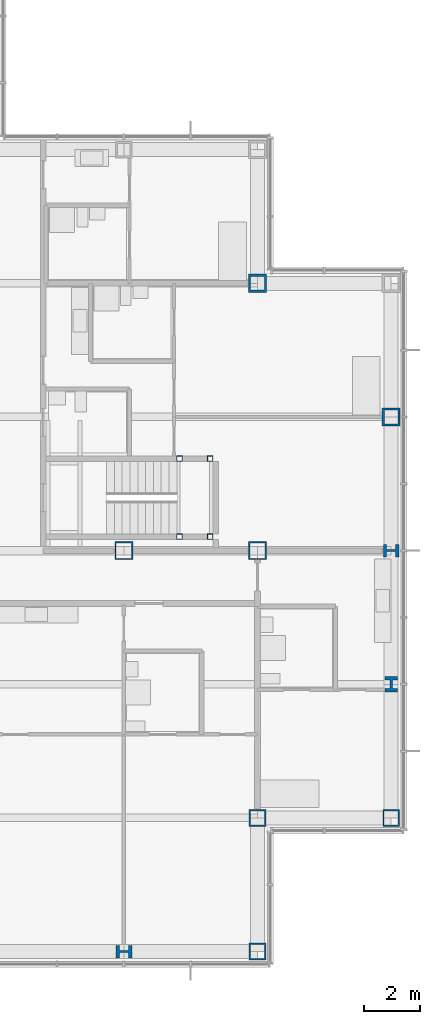
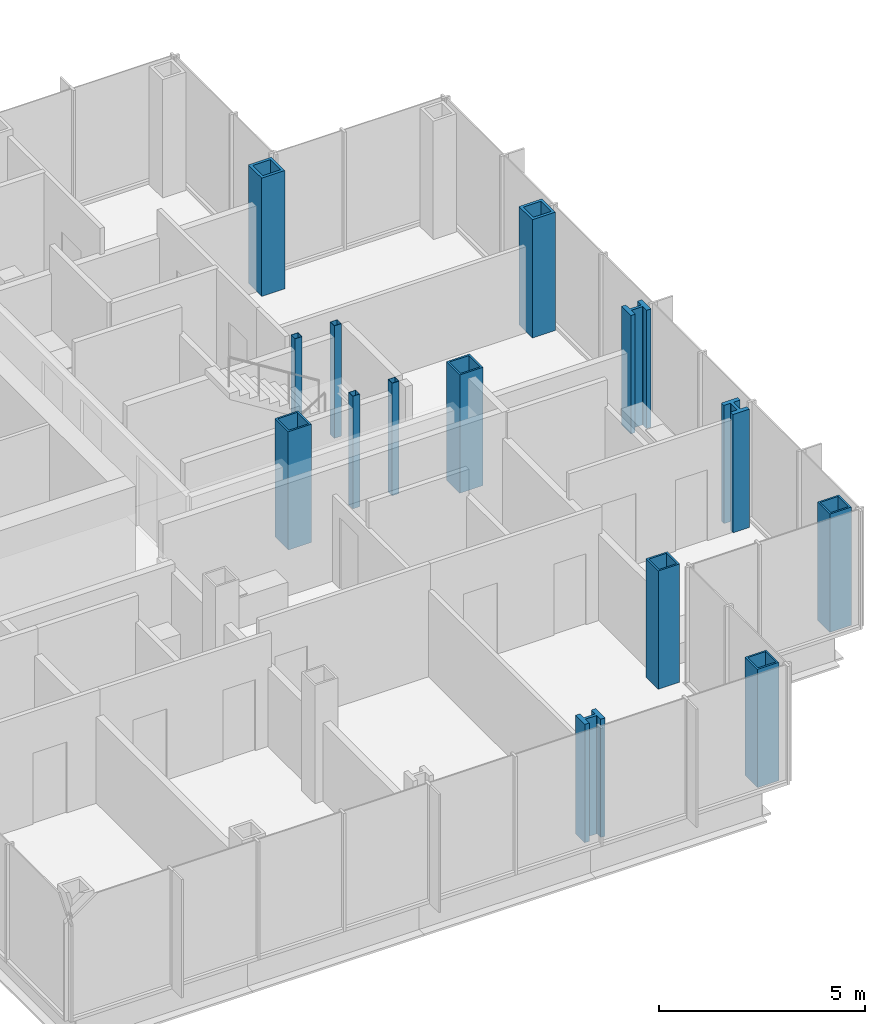
# One storey, part 4 of 20: 14 columns.
"""IFC4 building model written with IfcOpenShell, lengths in metres."""

from ifc_helpers import new_model, si_unit, direction, frame, origin, origin_2d, place, context, subcontext, project, spatial, hollow_rectangle, i_section, extrude, material, material_profile, profile_set, type_object, element, save


model = new_model("IFC4")

# Units and contexts
model_context = context("Model", 3, precision=1e-05, world=origin(), true_north=direction((0.0, 1.0)))
body_context = subcontext(model_context, "Body", "Model", "MODEL_VIEW")
ifc_project = project(units=[si_unit("LENGTHUNIT", "METRE"), si_unit("AREAUNIT", "SQUARE_METRE"), si_unit("VOLUMEUNIT", "CUBIC_METRE"), si_unit("PLANEANGLEUNIT", "RADIAN"), si_unit("MASSUNIT", "GRAM", prefix="KILO")], contexts=[model_context])

# Site, building, storey
site_placement = place(None, origin())
site = spatial("IfcSite", under=ifc_project, at=site_placement, CompositionType="ELEMENT")
building_placement = place(site_placement, origin())
building = spatial("IfcBuilding", under=site, at=building_placement, Name="Kvirike Care Tower", CompositionType="ELEMENT")
storey_placement = place(building_placement, frame((0.0, 0.0, 101.5)))
storey = spatial("IfcBuildingStorey", under=building, at=storey_placement, Name="L27", CompositionType="ELEMENT", Elevation=101.5)

# Columns
ifc_material_1 = material(Name="Steel S460", Category="steel")
ifc_material_profile_1 = material_profile(ifc_material_1, hollow_rectangle(XDim=0.60009765625, YDim=0.60009765625, WallThickness=0.050048828125, at=origin_2d()), Name="BX 600x600x50")
ifc_profile_set_1 = profile_set([ifc_material_profile_1], Name="Steel S460")
column_type_1 = type_object("IfcColumnType", Name="COLUMN BX 600x600x50", PredefinedType="COLUMN", material=ifc_profile_set_1)
for number, where, z_axis, x_axis, name in (
    (1, (38.39990234375, 14.39990234375, 0.0), (0.0, 0.0, 1.0), (0.0, 1.0, 0.0), "Column D11 L27"),
    (2, (38.39990234375, 19.199951171875, 0.0), (0.0, 0.0, 1.0), (0.0, 1.0, 0.0), "Column E11 L27"),
    (3, (43.199951171875, 19.199951171875, 0.0), (0.0, 0.0, 1.0), (0.0, 1.0, 0.0), "Column E12 L27"),
):
    element("IfcColumn", number, at=place(storey_placement, frame(where, z_axis=z_axis, x_axis=x_axis)), inside=storey, type_object=column_type_1, Name=name, PredefinedType="COLUMN", context=body_context, shape_type="SweptSolid", body=[
        extrude(hollow_rectangle(XDim=0.60009765625, YDim=0.60009765625, WallThickness=0.050048828125, at=origin_2d()), origin(), (0.0, 0.0, 1.0), 3.5),
    ])
ifc_material_2 = material(Name="Steel S460", Category="steel")
ifc_material_profile_2 = material_profile(ifc_material_2, hollow_rectangle(XDim=0.64990234375, YDim=0.64990234375, WallThickness=0.050048828125, at=origin_2d()), Name="BX 650x650x50")
ifc_profile_set_2 = profile_set([ifc_material_profile_2], Name="Steel S460")
column_type_2 = type_object("IfcColumnType", Name="COLUMN BX 650x650x50", PredefinedType="COLUMN", material=ifc_profile_set_2)
for number, where, z_axis, x_axis, name in (
    (4, (33.60009765625, 28.800048828125, 0.0), (0.0, 0.0, 1.0), (0.0, 1.0, 0.0), "Column G10 L27"),
    (5, (38.39990234375, 28.800048828125, 0.0), (0.0, 0.0, 1.0), (0.0, 1.0, 0.0), "Column G11 L27"),
):
    element("IfcColumn", number, at=place(storey_placement, frame(where, z_axis=z_axis, x_axis=x_axis)), inside=storey, type_object=column_type_2, Name=name, PredefinedType="COLUMN", context=body_context, shape_type="SweptSolid", body=[
        extrude(hollow_rectangle(XDim=0.64990234375, YDim=0.64990234375, WallThickness=0.050048828125, at=origin_2d()), origin(), (0.0, 0.0, 1.0), 3.5),
    ])
ifc_material_3 = material(Name="Steel S460", Category="steel")
ifc_material_profile_3 = material_profile(ifc_material_3, hollow_rectangle(XDim=0.64990234375, YDim=0.64990234375, WallThickness=0.080078125, at=origin_2d()), Name="BX 650x650x80")
ifc_profile_set_3 = profile_set([ifc_material_profile_3], Name="Steel S460")
column_type_3 = type_object("IfcColumnType", Name="COLUMN BX 650x650x80", PredefinedType="COLUMN", material=ifc_profile_set_3)
for number, where, z_axis, x_axis, name in (
    (6, (38.39990234375, 38.39990234375, 0.0), (0.0, 0.0, 1.0), (0.0, 1.0, 0.0), "Column J11 L27"),
    (7, (43.199951171875, 33.60009765625, 0.0), (0.0, 0.0, 1.0), (1.0, 0.0, 0.0), "Column H12 L27"),
):
    element("IfcColumn", number, at=place(storey_placement, frame(where, z_axis=z_axis, x_axis=x_axis)), inside=storey, type_object=column_type_3, Name=name, PredefinedType="COLUMN", context=body_context, shape_type="SweptSolid", body=[
        extrude(hollow_rectangle(XDim=0.64990234375, YDim=0.64990234375, WallThickness=0.080078125, at=origin_2d()), origin(), (0.0, 0.0, 1.0), 3.5),
    ])
ifc_material_4 = material(Name="Steel S460", Category="steel")
ifc_material_profile_4 = material_profile(ifc_material_4, i_section(OverallWidth=0.4541015625, OverallDepth=0.569091796875, WebThickness=0.077880859375, FlangeThickness=0.125, FilletRadius=0.014892578125, at=origin_2d()), Name="HD 400x1086")
ifc_profile_set_4 = profile_set([ifc_material_profile_4], Name="Steel S460")
column_type_4 = type_object("IfcColumnType", Name="COLUMN HD 400x1086", PredefinedType="COLUMN", material=ifc_profile_set_4)
for number, where, z_axis, x_axis, name in (
    (8, (33.60009765625, 14.39990234375, 0.0), (0.0, 0.0, 1.0), (0.0, 1.0, 0.0), "Column D10 L27"),
    (9, (43.199951171875, 24.0, 0.0), (0.0, 0.0, 1.0), (1.0, 0.0, 0.0), "Column F12 L27"),
    (10, (43.199951171875, 28.800048828125, 0.0), (0.0, 0.0, 1.0), (0.0, 1.0, 0.0), "Column G12 L27"),
):
    element("IfcColumn", number, at=place(storey_placement, frame(where, z_axis=z_axis, x_axis=x_axis)), inside=storey, type_object=column_type_4, Name=name, PredefinedType="COLUMN", context=body_context, shape_type="SweptSolid", body=[
        extrude(i_section(OverallWidth=0.4541015625, OverallDepth=0.569091796875, WebThickness=0.077880859375, FlangeThickness=0.125, FilletRadius=0.014892578125, at=origin_2d()), origin(), (0.0, 0.0, 1.0), 3.5),
    ])
ifc_material_5 = material(Name="Steel S460", Category="steel")
ifc_material_profile_5 = material_profile(ifc_material_5, hollow_rectangle(XDim=0.199951171875, YDim=0.199951171875, WallThickness=0.008056640625, at=origin_2d()), Name="SHS 200x200x8")
ifc_profile_set_5 = profile_set([ifc_material_profile_5], Name="Steel S460")
column_type_5 = type_object("IfcColumnType", Name="STAIR POST SHS 200x200x8", PredefinedType="COLUMN", material=ifc_profile_set_5)
for number, where, z_axis, x_axis, name in (
    (11, (36.699951171875, 29.300048828125, 0.0), (0.0, 0.0, 1.0), (1.0, 0.0, 0.0), "Stair 2 post 1 L27"),
    (12, (36.699951171875, 32.10009765625, 0.0), (0.0, 0.0, 1.0), (1.0, 0.0, 0.0), "Stair 2 post 2 L27"),
    (13, (35.60009765625, 29.300048828125, 0.0), (0.0, 0.0, 1.0), (1.0, 0.0, 0.0), "Stair 2 post 3 L27"),
    (14, (35.60009765625, 32.10009765625, 0.0), (0.0, 0.0, 1.0), (1.0, 0.0, 0.0), "Stair 2 post 4 L27"),
):
    element("IfcColumn", number, at=place(storey_placement, frame(where, z_axis=z_axis, x_axis=x_axis)), inside=storey, type_object=column_type_5, Name=name, PredefinedType="COLUMN", context=body_context, shape_type="SweptSolid", body=[
        extrude(hollow_rectangle(XDim=0.199951171875, YDim=0.199951171875, WallThickness=0.008056640625, at=origin_2d()), origin(), (0.0, 0.0, 1.0), 3.330078125),
    ])

save(model, "model.ifc")
